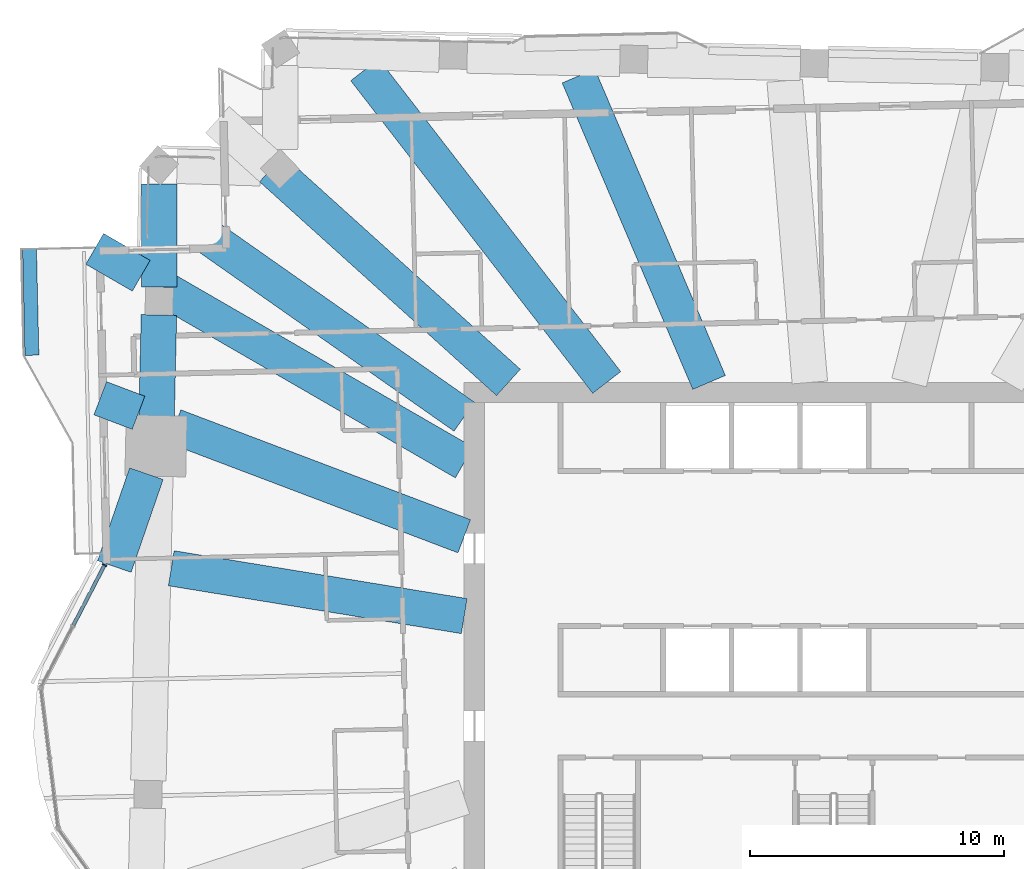
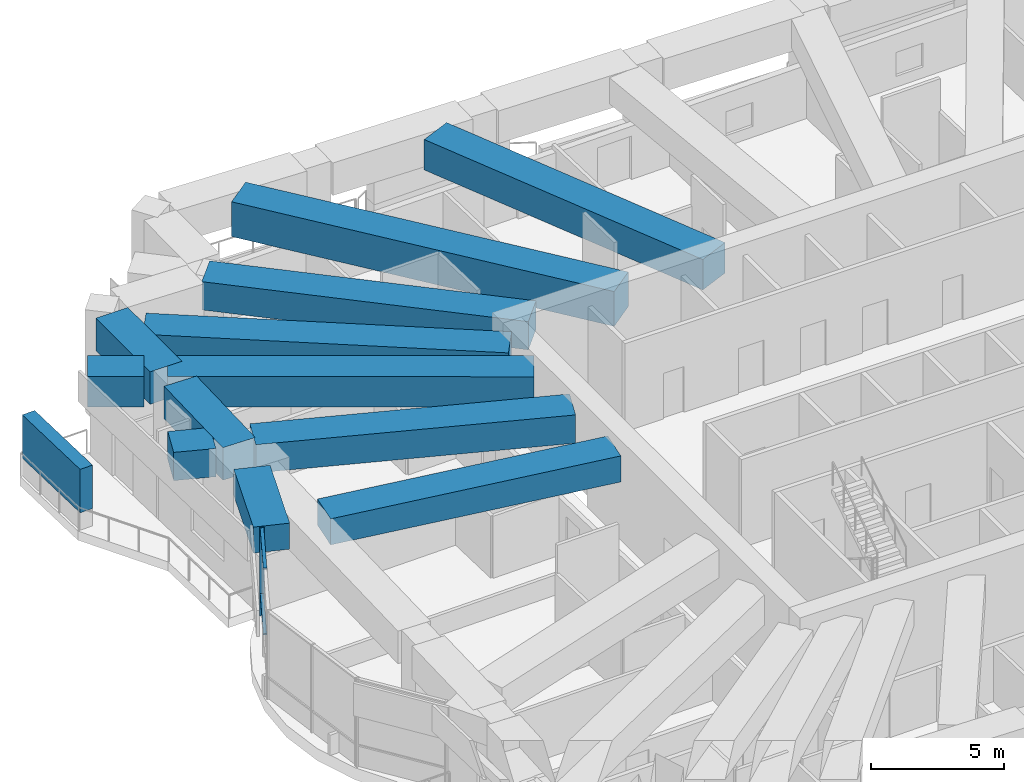
# One storey, part 5 of 19: 12 beams, 4 members, 1 element without a shape of its own.
"""IFC4 building model written with IfcOpenShell, lengths in metres."""

import ifcopenshell
import ifcopenshell.guid

model = None  # the IFC model being written
_history = None  # IfcOwnerHistory: only IFC2X3 demands one
_inside = {}  # id of a spatial element -> (the spatial element, [elements in it])
_under = {}  # id of a project, library or spatial element -> (it, [spatial elements below it])
_declared = {}  # id of a project -> (the project, [libraries it declares])
_typed = {}  # id of a type object -> (the type object, [elements of that type])
_made_of = {}  # id of a material, layer set ... -> (it, [elements and type objects made of it])


def new_model(schema):
    """Start an empty IFC model of exactly this schema.

    Asked for "IFC4X3", IfcOpenShell would pick the latest addendum, in which some entities
    have other attributes; the version numbers below select the first issue.
    IFC2X3 requires an IfcOwnerHistory on every rooted entity: one is made here for all.
    """
    global model, _history
    if schema == "IFC4X3":
        model = ifcopenshell.file(schema_version=(4, 3, 0, 0))
    else:
        model = ifcopenshell.file(schema=schema)
    _inside.clear()
    _under.clear()
    _declared.clear()
    _typed.clear()
    _made_of.clear()
    _history = None
    if model.schema == "IFC2X3":
        org = make("IfcOrganization", Name="unknown")
        user = make(
            "IfcPersonAndOrganization",
            ThePerson=make("IfcPerson", FamilyName="unknown"),
            TheOrganization=org,
        )
        app = make(
            "IfcApplication",
            ApplicationDeveloper=org,
            Version="unknown",
            ApplicationFullName="unknown",
            ApplicationIdentifier="unknown",
        )
        _history = make(
            "IfcOwnerHistory",
            OwningUser=user,
            OwningApplication=app,
            ChangeAction="ADDED",
            CreationDate=0,
        )
    return model


def make(cls, **values):
    """One entity of the class cls with the attributes given. An attribute that is None is left unset."""
    return model.create_entity(
        cls, **{name: value for name, value in values.items() if value is not None}
    )


def rooted(cls, **values):
    """An entity with a GlobalId (a new one), such as an element, a storey or a relation."""
    return make(cls, GlobalId=ifcopenshell.guid.new(), OwnerHistory=_history, **values)


def si_unit(unit_type, name, prefix=None):
    """IfcSIUnit, for example si_unit("LENGTHUNIT", "METRE", prefix="MILLI")."""
    return make("IfcSIUnit", UnitType=unit_type, Prefix=prefix, Name=name)


def assignment(units):
    """IfcUnitAssignment: the units of a project."""
    return None if units is None else make("IfcUnitAssignment", Units=units)


def point(xyz):
    """IfcCartesianPoint."""
    return None if xyz is None else make("IfcCartesianPoint", Coordinates=xyz)


def direction(xyz):
    """IfcDirection."""
    return None if xyz is None else make("IfcDirection", DirectionRatios=xyz)


def frame(location, z_axis=None, x_axis=None):
    """IfcAxis2Placement3D, a coordinate frame: its origin and axes. An axis left out is left unset."""
    return make(
        "IfcAxis2Placement3D",
        Location=point(location),
        Axis=direction(z_axis),
        RefDirection=direction(x_axis),
    )


def frame_2d(location, x_axis=None):
    """IfcAxis2Placement2D, a coordinate frame in the plane: its origin and x axis."""
    return make(
        "IfcAxis2Placement2D", Location=point(location), RefDirection=direction(x_axis)
    )


def origin():
    """The frame at (0, 0, 0) with its axes left unset."""
    return frame((0.0, 0.0, 0.0))


def origin_2d():
    """The frame at (0, 0) in the plane with its x axis left unset."""
    return frame_2d((0.0, 0.0))


def place(relative_to, where):
    """IfcLocalPlacement: puts the frame where relative to a parent placement (None: the world)."""
    return make(
        "IfcLocalPlacement", PlacementRelTo=relative_to, RelativePlacement=where
    )


def context(
    kind, dimensions, precision=None, world=None, true_north=None, identifier=None
):
    """IfcGeometricRepresentationContext, for example the 3D "Model" context."""
    return make(
        "IfcGeometricRepresentationContext",
        ContextIdentifier=identifier,
        ContextType=kind,
        CoordinateSpaceDimension=dimensions,
        Precision=precision,
        WorldCoordinateSystem=world,
        TrueNorth=true_north,
    )


def subcontext(parent, identifier, kind, view, scale=None):
    """IfcGeometricRepresentationSubContext, for example "Body" below "Model"."""
    return make(
        "IfcGeometricRepresentationSubContext",
        ContextIdentifier=identifier,
        ContextType=kind,
        ParentContext=parent,
        TargetScale=scale,
        TargetView=view,
    )


def project(units=None, contexts=None):
    """IfcProject with its units and contexts."""
    return rooted(
        "IfcProject",
        Name="project",
        RepresentationContexts=contexts,
        UnitsInContext=assignment(units),
    )


def spatial(cls, under=None, at=None, **own):
    """A site, building, storey or space (cls), placed at a placement, below another one or the project."""
    s = rooted(cls, ObjectPlacement=at, **own)
    if under is not None:
        _under.setdefault(under.id(), (under, []))[1].append(s)
    return s


def profile(cls, at=None, kind="AREA", **sizes):
    """A parametric profile (cls). Its sizes go by their IFC names, for example OverallWidth=200.0."""
    return make(cls, ProfileType=kind, Position=at, **sizes)


def rectangle(**sizes):
    """IfcRectangleProfileDef."""
    return profile("IfcRectangleProfileDef", **sizes)


def extrude(swept, where, along, depth):
    """IfcExtrudedAreaSolid: the profile swept, set in the frame where, extruded along a direction by depth."""
    return make(
        "IfcExtrudedAreaSolid",
        SweptArea=swept,
        Position=where,
        ExtrudedDirection=direction(along),
        Depth=depth,
    )


def shape(context_of_items, identifier, shape_type, items):
    """IfcShapeRepresentation: the items that make up one representation, for example the "Body"."""
    return make(
        "IfcShapeRepresentation",
        ContextOfItems=context_of_items,
        RepresentationIdentifier=identifier,
        RepresentationType=shape_type,
        Items=items,
    )


def material(Name=None, Category=None):
    """IfcMaterial."""
    return make("IfcMaterial", Name=Name, Category=Category)


def material_profile(
    of_material, cross_section, Name=None, Category=None, Priority=None
):
    """IfcMaterialProfile: a cross section and its material."""
    return make(
        "IfcMaterialProfile",
        Name=Name,
        Material=of_material,
        Profile=cross_section,
        Priority=Priority,
        Category=Category,
    )


def profile_set(profiles, Name=None, composite=None):
    """IfcMaterialProfileSet."""
    return make(
        "IfcMaterialProfileSet",
        Name=Name,
        MaterialProfiles=profiles,
        CompositeProfile=composite,
    )


def made_of(thing, what):
    """Note that an element or type object is made of a material, layer set ...; save() writes the relation."""
    if what is not None:
        _made_of.setdefault(what.id(), (what, []))[1].append(thing)
    return thing


def type_object(cls, material=None, **own):
    """A type object (cls), such as IfcWallType, which elements share."""
    return made_of(rooted(cls, **own), material)


def element(
    cls,
    number,
    at=None,
    inside=None,
    cuts=None,
    type_object=None,
    material=None,
    context=None,
    identifier="Body",
    shape_type=None,
    held_by="IfcProductDefinitionShape",
    body=None,
    shapes=None,
    **own,
):
    """One element of the class cls, such as IfcWall. Its Tag is "e" and its number.

    at: its placement. inside: the storey or other place that contains it. cuts: it is an
    opening in that element (IfcRelVoidsElement). A single representation is given by context,
    identifier, shape_type and body (its items); several are given by shapes. held_by: the class
    of the entity that holds the representations. save() writes the other relations.
    """
    e = rooted(cls, Tag="e%d" % number, ObjectPlacement=at, **own)
    if body is not None:
        shapes = [shape(context, identifier, shape_type, body)]
    if shapes is not None:
        e.Representation = make(held_by, Representations=shapes)
    if inside is not None:
        _inside.setdefault(inside.id(), (inside, []))[1].append(e)
    if cuts is not None:
        rooted(
            "IfcRelVoidsElement", RelatingBuildingElement=cuts, RelatedOpeningElement=e
        )
    if type_object is not None:
        _typed.setdefault(type_object.id(), (type_object, []))[1].append(e)
    return made_of(e, material)


def aggregate(whole, parts):
    """IfcRelAggregates: a whole, such as a stair, and the parts it consists of."""
    return rooted("IfcRelAggregates", RelatingObject=whole, RelatedObjects=parts)


def save(model, path):
    """Write the relations noted so far, then the file.

    IfcRelAggregates (storeys below a building ...), IfcRelContainedInSpatialStructure (elements
    in a storey), IfcRelDefinesByType, IfcRelAssociatesMaterial and IfcRelDeclares: one each for
    every whole, place, type object, material and project.
    """
    for whole, parts in _under.values():
        aggregate(whole, parts)
    for where, things in _inside.values():
        rooted(
            "IfcRelContainedInSpatialStructure",
            RelatedElements=things,
            RelatingStructure=where,
        )
    for kind, things in _typed.values():
        rooted("IfcRelDefinesByType", RelatedObjects=things, RelatingType=kind)
    for what, things in _made_of.values():
        rooted("IfcRelAssociatesMaterial", RelatedObjects=things, RelatingMaterial=what)
    for by, libraries in _declared.values():
        rooted("IfcRelDeclares", RelatingContext=by, RelatedDefinitions=libraries)
    model.write(path)


model = new_model("IFC4")

# Units and contexts
model_context = context("Model", 3, precision=1e-05, world=origin(), true_north=direction((0.0, 1.0)))
body_context = subcontext(model_context, "Body", "Model", "MODEL_VIEW")
ifc_project = project(units=[si_unit("LENGTHUNIT", "METRE"), si_unit("AREAUNIT", "SQUARE_METRE"), si_unit("VOLUMEUNIT", "CUBIC_METRE"), si_unit("PLANEANGLEUNIT", "RADIAN"), si_unit("MASSUNIT", "GRAM", prefix="KILO")], contexts=[model_context])

# Site, building, storey
site_placement = place(None, origin())
site = spatial("IfcSite", under=ifc_project, at=site_placement, CompositionType="ELEMENT")
building_placement = place(site_placement, origin())
building = spatial("IfcBuilding", under=site, at=building_placement, Name="Mangrove Gate Tower", CompositionType="ELEMENT")
storey_placement = place(building_placement, frame((0.0, 0.0, 226.5)))
storey = spatial("IfcBuildingStorey", under=building, at=storey_placement, Name="L57", CompositionType="ELEMENT", Elevation=226.5)

# Member
ifc_material_1 = material(Name="Planting on aluminium trellis", Category="aluminium")
ifc_material_profile_1 = material_profile(ifc_material_1, rectangle(XDim=0.550048828125, YDim=2.0, at=origin_2d()))
ifc_profile_set_1 = profile_set([ifc_material_profile_1], Name="Planting on aluminium trellis")
member_type_1 = type_object("IfcMemberType", Name="Balcony greenery screen 550x2000", PredefinedType="USERDEFINED", material=ifc_profile_set_1)
member_1_placement = place(storey_placement, frame((-31.652099609375, 12.672119140625, 1.800048828125), z_axis=(-0.022611811187, 0.999744320311, 0.0), x_axis=(-0.999744320311, -0.022611811187, 0.0)))
element("IfcMember", 1, at=member_1_placement, inside=storey, type_object=member_type_1, Name="GREEN SCREEN L57 W0.1", ObjectType="PLANTING", PredefinedType="USERDEFINED", context=body_context, shape_type="SweptSolid", body=[
    extrude(rectangle(XDim=0.550048828125, YDim=2.0, at=origin_2d()), origin(), (0.0, 0.0, 1.0), 4.199951171875),
])

# Curtain wall, members
ifc_material_2 = material(Name="Aluminium and glass curtain wall", Category="aluminium")
curtain_wall_type = type_object("IfcCurtainWallType", Name="Sky-lounge glazing wall", PredefinedType="NOTDEFINED", material=ifc_material_2)
curtain_wall_placement = place(storey_placement, origin())
curtain_wall = element("IfcCurtainWall", 2, at=curtain_wall_placement, inside=storey, type_object=curtain_wall_type, Name="Sky-lounge glazing W9f1", PredefinedType="NOTDEFINED")
ifc_material_3 = material(Name="Aluminium alloy 6063-T6", Category="aluminium")
ifc_material_profile_2 = material_profile(ifc_material_3, rectangle(XDim=0.06005859375, YDim=0.179931640625, at=origin_2d()))
ifc_profile_set_2 = profile_set([ifc_material_profile_2], Name="Aluminium alloy 6063-T6")
member_type_2 = type_object("IfcMemberType", Name="Sky-lounge glazing mullion 60x180", PredefinedType="MULLION", material=ifc_profile_set_2)
member_2_placement = place(storey_placement, frame((-28.784912109375, 4.396484375, 0.0), z_axis=(0.0, 0.0, 1.0), x_axis=(-0.460784924478, -0.887511832808, 0.0)))
member_2 = element("IfcMember", 3, at=member_2_placement, type_object=member_type_2, Name="CWK mullion 1", PredefinedType="MULLION", context=body_context, shape_type="SweptSolid", body=[
    extrude(rectangle(XDim=0.06005859375, YDim=0.179931640625, at=origin_2d()), origin(), (0.0, 0.0, 1.0), 4.050048828125),
])
ifc_material_4 = material(Name="Aluminium alloy 6063-T6", Category="aluminium")
ifc_material_profile_3 = material_profile(ifc_material_4, rectangle(XDim=0.06005859375, YDim=0.139892578125, at=origin_2d()))
ifc_profile_set_3 = profile_set([ifc_material_profile_3], Name="Aluminium alloy 6063-T6")
member_type_3 = type_object("IfcMemberType", Name="Sky-lounge glazing transom 60x140", PredefinedType="USERDEFINED", material=ifc_profile_set_3)
member_3_placement = place(storey_placement, frame((-28.798583984375, 4.36962890625, 1.0), z_axis=(-0.460843125319, -0.887481613244, 0.0), x_axis=(0.0, 0.0, 1.0)))
member_3 = element("IfcMember", 4, at=member_3_placement, type_object=member_type_3, Name="CWK transom 1.2", ObjectType="TRANSOM", PredefinedType="USERDEFINED", context=body_context, shape_type="SweptSolid", body=[
    extrude(rectangle(XDim=0.06005859375, YDim=0.139892578125, at=origin_2d()), origin(), (0.0, 0.0, 1.0), 2.6552734375),
])
member_4_placement = place(storey_placement, frame((-28.798583984375, 4.36962890625, 4.02001953125), z_axis=(-0.460843125319, -0.887481613244, 0.0), x_axis=(0.0, 0.0, 1.0)))
member_4 = element("IfcMember", 5, at=member_4_placement, type_object=member_type_3, Name="CWK transom 1.3", ObjectType="TRANSOM", PredefinedType="USERDEFINED", context=body_context, shape_type="SweptSolid", body=[
    extrude(rectangle(XDim=0.06005859375, YDim=0.139892578125, at=origin_2d()), origin(), (0.0, 0.0, 1.0), 2.6552734375),
])
aggregate(curtain_wall, [member_2, member_3, member_4])

# Beams
ifc_material_5 = material(Name="Concrete C60/75", Category="concrete")
ifc_material_profile_4 = material_profile(ifc_material_5, rectangle(XDim=1.39990234375, YDim=1.199951171875, at=origin_2d()))
ifc_profile_set_4 = profile_set([ifc_material_profile_4], Name="Concrete C60/75")
beam_type_1 = type_object("IfcBeamType", Name="Transfer girder RC 1400x1200 C60/75", PredefinedType="BEAM", material=ifc_profile_set_4)
beam_1_placement = place(storey_placement, frame((-14.60009765625, 2.384033203125, 3.449951171875), z_axis=(-0.986931256578, 0.161141846799, 0.0), x_axis=(-0.161141846799, -0.986931256578, 0.0)))
element("IfcBeam", 6, at=beam_1_placement, inside=storey, type_object=beam_type_1, Name="Transfer girder L57 29", PredefinedType="BEAM", context=body_context, shape_type="SweptSolid", body=[
    extrude(rectangle(XDim=1.39990234375, YDim=1.199951171875, at=origin_2d()), origin(), (0.0, 0.0, 1.0), 11.70849609375),
])
beam_2_placement = place(storey_placement, frame((-27.13720703125, 8.001953125, 3.449951171875), z_axis=(-0.326037272912, -0.945356914965, 0.0), x_axis=(0.945356914965, -0.326037272912, 0.0)))
element("IfcBeam", 7, at=beam_2_placement, inside=storey, type_object=beam_type_1, Name="Transfer edge girder L57 29", PredefinedType="BEAM", context=body_context, shape_type="SweptSolid", body=[
    extrude(rectangle(XDim=1.39990234375, YDim=1.199951171875, at=origin_2d()), origin(), (0.0, 0.0, 1.0), 3.875732421875),
])
ifc_material_6 = material(Name="Concrete C60/75", Category="concrete")
ifc_material_profile_5 = material_profile(ifc_material_6, rectangle(XDim=1.39990234375, YDim=1.300048828125, at=origin_2d()))
ifc_profile_set_5 = profile_set([ifc_material_profile_5], Name="Concrete C60/75")
beam_type_2 = type_object("IfcBeamType", Name="Transfer girder RC 1400x1300 C60/75", PredefinedType="BEAM", material=ifc_profile_set_5)
beam_3_placement = place(storey_placement, frame((-12.8564453125, 11.60009765625, 3.39990234375), z_axis=(-0.742460617308, 0.669889716107, 0.0), x_axis=(-0.669889716107, -0.742460617308, 0.0)))
element("IfcBeam", 8, at=beam_3_placement, inside=storey, type_object=beam_type_2, Name="Transfer girder L57 25", PredefinedType="BEAM", context=body_context, shape_type="SweptSolid", body=[
    extrude(rectangle(XDim=1.39990234375, YDim=1.300048828125, at=origin_2d()), origin(), (0.0, 0.0, 1.0), 12.592041015625),
])
beam_4_placement = place(storey_placement, frame((-14.60009765625, 5.5341796875, 3.39990234375), z_axis=(-0.935074273254, 0.35445183523, 0.0), x_axis=(-0.35445183523, -0.935074273254, 0.0)))
element("IfcBeam", 9, at=beam_4_placement, inside=storey, type_object=beam_type_2, Name="Transfer girder L57 28", PredefinedType="BEAM", context=body_context, shape_type="SweptSolid", body=[
    extrude(rectangle(XDim=1.39990234375, YDim=1.300048828125, at=origin_2d()), origin(), (0.0, 0.0, 1.0), 12.21826171875),
])
beam_5_placement = place(storey_placement, frame((-27.4462890625, 10.403564453125, 3.39990234375), z_axis=(-0.935044154401, 0.35453128116, 0.0), x_axis=(-0.35453128116, -0.935044154401, 0.0)))
element("IfcBeam", 10, at=beam_5_placement, inside=storey, type_object=beam_type_2, Name="Transfer cantilever girder L57 28", PredefinedType="BEAM", context=body_context, shape_type="SweptSolid", body=[
    extrude(rectangle(XDim=1.39990234375, YDim=1.300048828125, at=origin_2d()), origin(), (0.0, 0.0, 1.0), 1.6162109375),
])
ifc_material_7 = material(Name="Concrete C60/75", Category="concrete")
ifc_material_profile_6 = material_profile(ifc_material_7, rectangle(XDim=1.39990234375, YDim=1.39990234375, at=origin_2d()))
ifc_profile_set_6 = profile_set([ifc_material_profile_6], Name="Concrete C60/75")
beam_type_3 = type_object("IfcBeamType", Name="Transfer girder RC 1400x1400 C60/75", PredefinedType="BEAM", material=ifc_profile_set_6)
beam_6_placement = place(storey_placement, frame((-4.94287109375, 11.60009765625, 3.35009765625), z_axis=(-0.392019044789, 0.919957101458, 0.0), x_axis=(-0.919957101458, -0.392019044789, 0.0)))
element("IfcBeam", 11, at=beam_6_placement, inside=storey, type_object=beam_type_3, Name="Transfer girder L57 23", PredefinedType="BEAM", context=body_context, shape_type="SweptSolid", body=[
    extrude(rectangle(XDim=1.39990234375, YDim=1.39990234375, at=origin_2d()), origin(), (0.0, 0.0, 1.0), 13.139404296875),
])
beam_7_placement = place(storey_placement, frame((-14.60009765625, 10.249755859375, 3.35009765625), z_axis=(-0.818444960085, 0.574584934811, 0.0), x_axis=(-0.574584934811, -0.818444960085, 0.0)))
element("IfcBeam", 12, at=beam_7_placement, inside=storey, type_object=beam_type_3, Name="Transfer girder L57 26", PredefinedType="BEAM", context=body_context, shape_type="SweptSolid", body=[
    extrude(rectangle(XDim=1.39990234375, YDim=1.39990234375, at=origin_2d()), origin(), (0.0, 0.0, 1.0), 13.844970703125),
])
beam_8_placement = place(storey_placement, frame((-14.60009765625, 8.441650390625, 3.35009765625), z_axis=(-0.865705999504, 0.500552816817, 0.0), x_axis=(-0.500552816817, -0.865705999504, 0.0)))
element("IfcBeam", 13, at=beam_8_placement, inside=storey, type_object=beam_type_3, Name="Transfer girder L57 27", PredefinedType="BEAM", context=body_context, shape_type="SweptSolid", body=[
    extrude(rectangle(XDim=1.39990234375, YDim=1.39990234375, at=origin_2d()), origin(), (0.0, 0.0, 1.0), 13.817138671875),
])
beam_9_placement = place(storey_placement, frame((-27.3408203125, 15.808349609375, 3.35009765625), z_axis=(-0.865670830185, 0.500613637216, 0.0), x_axis=(-0.500613637216, -0.865670830185, 0.0)))
element("IfcBeam", 14, at=beam_9_placement, inside=storey, type_object=beam_type_3, Name="Transfer cantilever girder L57 27", PredefinedType="BEAM", context=body_context, shape_type="SweptSolid", body=[
    extrude(rectangle(XDim=1.39990234375, YDim=1.39990234375, at=origin_2d()), origin(), (0.0, 0.0, 1.0), 2.117919921875),
])
ifc_material_8 = material(Name="Concrete C60/75", Category="concrete")
ifc_material_profile_7 = material_profile(ifc_material_8, rectangle(XDim=1.39990234375, YDim=1.5, at=origin_2d()))
ifc_profile_set_7 = profile_set([ifc_material_profile_7], Name="Concrete C60/75")
beam_type_4 = type_object("IfcBeamType", Name="Transfer girder RC 1400x1500 C60/75", PredefinedType="BEAM", material=ifc_profile_set_7)
beam_10_placement = place(storey_placement, frame((-26.63623046875, 19.435302734375, 3.300048828125), z_axis=(0.001317521913, -0.999999132068, 0.0), x_axis=(0.999999132068, 0.001317521913, 0.0)))
element("IfcBeam", 15, at=beam_10_placement, inside=storey, type_object=beam_type_4, Name="Transfer ring girder L57 27", PredefinedType="BEAM", context=body_context, shape_type="SweptSolid", body=[
    extrude(rectangle(XDim=1.39990234375, YDim=1.5, at=origin_2d()), origin(), (0.0, 0.0, 1.0), 4.07666015625),
])
beam_11_placement = place(storey_placement, frame((-26.642578125, 14.2587890625, 3.300048828125), z_axis=(-0.022605956435, -0.999744452715, 0.0), x_axis=(0.999744452715, -0.022605956435, 0.0)))
element("IfcBeam", 16, at=beam_11_placement, inside=storey, type_object=beam_type_4, Name="Transfer ring girder L57 28", PredefinedType="BEAM", context=body_context, shape_type="SweptSolid", body=[
    extrude(rectangle(XDim=1.39990234375, YDim=1.5, at=origin_2d()), origin(), (0.0, 0.0, 1.0), 4.611572265625),
])
ifc_material_9 = material(Name="Concrete C60/75", Category="concrete")
ifc_material_profile_8 = material_profile(ifc_material_9, rectangle(XDim=1.39990234375, YDim=1.60009765625, at=origin_2d()))
ifc_profile_set_8 = profile_set([ifc_material_profile_8], Name="Concrete C60/75")
beam_type_5 = type_object("IfcBeamType", Name="Transfer girder RC 1400x1600 C60/75", PredefinedType="BEAM", material=ifc_profile_set_8)
beam_12_placement = place(storey_placement, frame((-8.9794921875, 11.60009765625, 3.25), z_axis=(-0.612122351379, 0.790763066248, 0.0), x_axis=(-0.790763066248, -0.612122351379, 0.0)))
element("IfcBeam", 17, at=beam_12_placement, inside=storey, type_object=beam_type_5, Name="Transfer girder L57 24", PredefinedType="BEAM", context=body_context, shape_type="SweptSolid", body=[
    extrude(rectangle(XDim=1.39990234375, YDim=1.60009765625, at=origin_2d()), origin(), (0.0, 0.0, 1.0), 15.593505859375),
])

save(model, "model.ifc")
